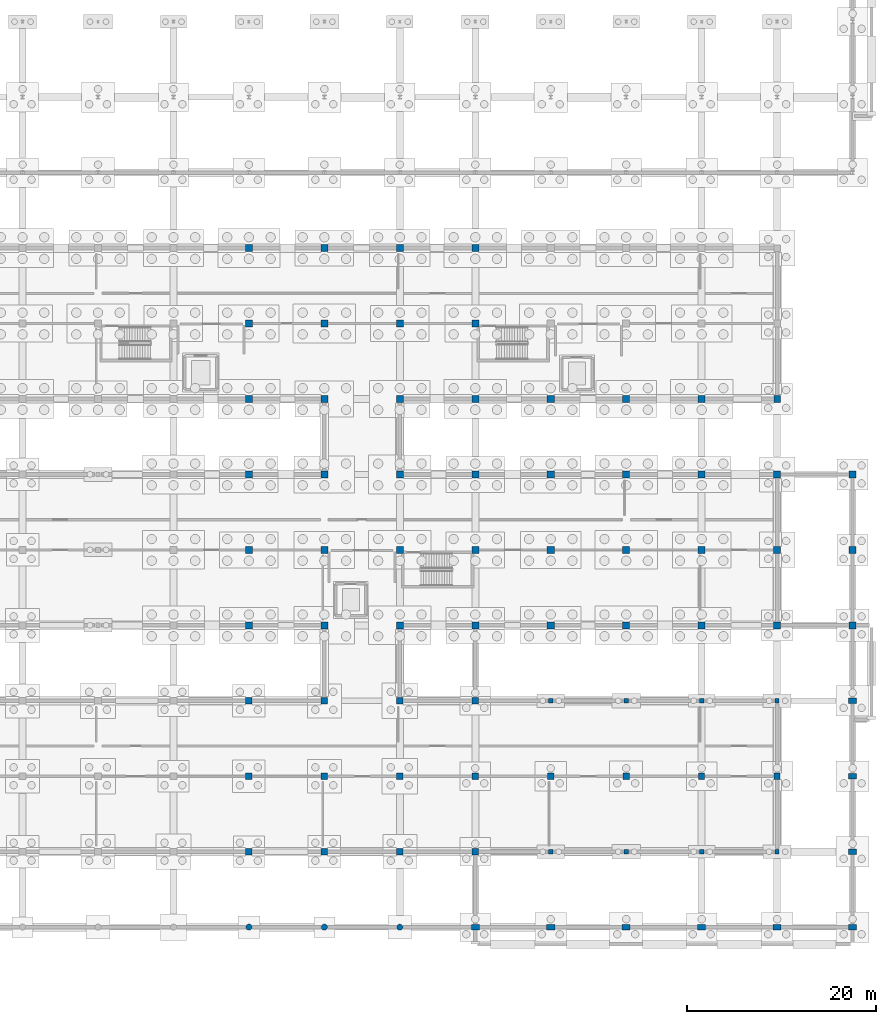
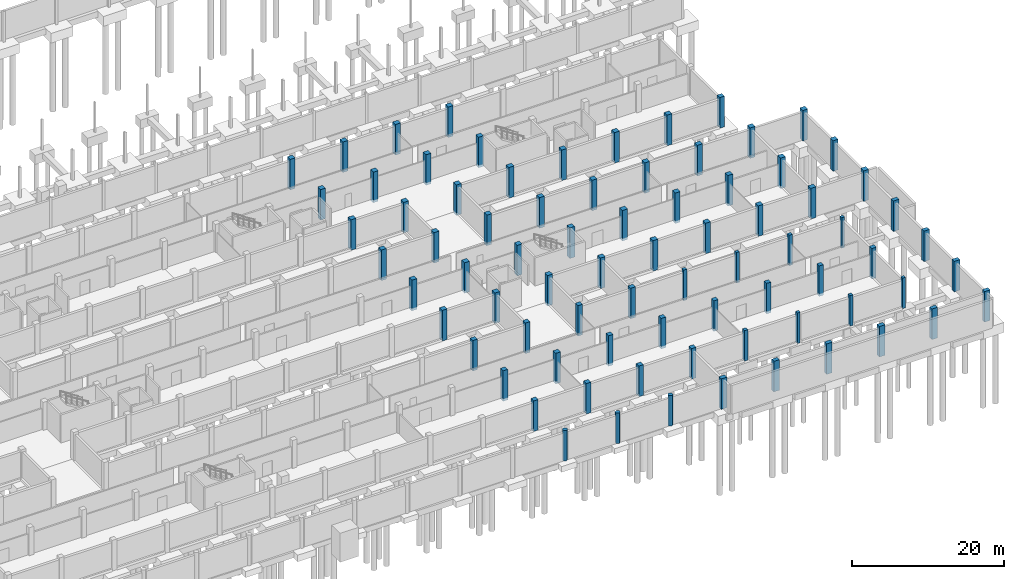
# One storey, part 28 of 51: 79 columns.
"""IFC4 building model written with IfcOpenShell, lengths in metres."""

import ifcopenshell
import ifcopenshell.guid

model = None  # the IFC model being written
_history = None  # IfcOwnerHistory: only IFC2X3 demands one
_inside = {}  # id of a spatial element -> (the spatial element, [elements in it])
_under = {}  # id of a project, library or spatial element -> (it, [spatial elements below it])
_declared = {}  # id of a project -> (the project, [libraries it declares])
_typed = {}  # id of a type object -> (the type object, [elements of that type])
_made_of = {}  # id of a material, layer set ... -> (it, [elements and type objects made of it])


def new_model(schema):
    """Start an empty IFC model of exactly this schema.

    Asked for "IFC4X3", IfcOpenShell would pick the latest addendum, in which some entities
    have other attributes; the version numbers below select the first issue.
    IFC2X3 requires an IfcOwnerHistory on every rooted entity: one is made here for all.
    """
    global model, _history
    if schema == "IFC4X3":
        model = ifcopenshell.file(schema_version=(4, 3, 0, 0))
    else:
        model = ifcopenshell.file(schema=schema)
    _inside.clear()
    _under.clear()
    _declared.clear()
    _typed.clear()
    _made_of.clear()
    _history = None
    if model.schema == "IFC2X3":
        org = make("IfcOrganization", Name="unknown")
        user = make(
            "IfcPersonAndOrganization",
            ThePerson=make("IfcPerson", FamilyName="unknown"),
            TheOrganization=org,
        )
        app = make(
            "IfcApplication",
            ApplicationDeveloper=org,
            Version="unknown",
            ApplicationFullName="unknown",
            ApplicationIdentifier="unknown",
        )
        _history = make(
            "IfcOwnerHistory",
            OwningUser=user,
            OwningApplication=app,
            ChangeAction="ADDED",
            CreationDate=0,
        )
    return model


def make(cls, **values):
    """One entity of the class cls with the attributes given. An attribute that is None is left unset."""
    return model.create_entity(
        cls, **{name: value for name, value in values.items() if value is not None}
    )


def rooted(cls, **values):
    """An entity with a GlobalId (a new one), such as an element, a storey or a relation."""
    return make(cls, GlobalId=ifcopenshell.guid.new(), OwnerHistory=_history, **values)


def si_unit(unit_type, name, prefix=None):
    """IfcSIUnit, for example si_unit("LENGTHUNIT", "METRE", prefix="MILLI")."""
    return make("IfcSIUnit", UnitType=unit_type, Prefix=prefix, Name=name)


def assignment(units):
    """IfcUnitAssignment: the units of a project."""
    return None if units is None else make("IfcUnitAssignment", Units=units)


def point(xyz):
    """IfcCartesianPoint."""
    return None if xyz is None else make("IfcCartesianPoint", Coordinates=xyz)


def direction(xyz):
    """IfcDirection."""
    return None if xyz is None else make("IfcDirection", DirectionRatios=xyz)


def frame(location, z_axis=None, x_axis=None):
    """IfcAxis2Placement3D, a coordinate frame: its origin and axes. An axis left out is left unset."""
    return make(
        "IfcAxis2Placement3D",
        Location=point(location),
        Axis=direction(z_axis),
        RefDirection=direction(x_axis),
    )


def frame_2d(location, x_axis=None):
    """IfcAxis2Placement2D, a coordinate frame in the plane: its origin and x axis."""
    return make(
        "IfcAxis2Placement2D", Location=point(location), RefDirection=direction(x_axis)
    )


def origin():
    """The frame at (0, 0, 0) with its axes left unset."""
    return frame((0.0, 0.0, 0.0))


def origin_2d():
    """The frame at (0, 0) in the plane with its x axis left unset."""
    return frame_2d((0.0, 0.0))


def place(relative_to, where):
    """IfcLocalPlacement: puts the frame where relative to a parent placement (None: the world)."""
    return make(
        "IfcLocalPlacement", PlacementRelTo=relative_to, RelativePlacement=where
    )


def context(
    kind, dimensions, precision=None, world=None, true_north=None, identifier=None
):
    """IfcGeometricRepresentationContext, for example the 3D "Model" context."""
    return make(
        "IfcGeometricRepresentationContext",
        ContextIdentifier=identifier,
        ContextType=kind,
        CoordinateSpaceDimension=dimensions,
        Precision=precision,
        WorldCoordinateSystem=world,
        TrueNorth=true_north,
    )


def subcontext(parent, identifier, kind, view, scale=None):
    """IfcGeometricRepresentationSubContext, for example "Body" below "Model"."""
    return make(
        "IfcGeometricRepresentationSubContext",
        ContextIdentifier=identifier,
        ContextType=kind,
        ParentContext=parent,
        TargetScale=scale,
        TargetView=view,
    )


def project(units=None, contexts=None):
    """IfcProject with its units and contexts."""
    return rooted(
        "IfcProject",
        Name="project",
        RepresentationContexts=contexts,
        UnitsInContext=assignment(units),
    )


def spatial(cls, under=None, at=None, **own):
    """A site, building, storey or space (cls), placed at a placement, below another one or the project."""
    s = rooted(cls, ObjectPlacement=at, **own)
    if under is not None:
        _under.setdefault(under.id(), (under, []))[1].append(s)
    return s


def profile(cls, at=None, kind="AREA", **sizes):
    """A parametric profile (cls). Its sizes go by their IFC names, for example OverallWidth=200.0."""
    return make(cls, ProfileType=kind, Position=at, **sizes)


def rectangle(**sizes):
    """IfcRectangleProfileDef."""
    return profile("IfcRectangleProfileDef", **sizes)


def circle(**sizes):
    """IfcCircleProfileDef."""
    return profile("IfcCircleProfileDef", **sizes)


def extrude(swept, where, along, depth):
    """IfcExtrudedAreaSolid: the profile swept, set in the frame where, extruded along a direction by depth."""
    return make(
        "IfcExtrudedAreaSolid",
        SweptArea=swept,
        Position=where,
        ExtrudedDirection=direction(along),
        Depth=depth,
    )


def shape(context_of_items, identifier, shape_type, items):
    """IfcShapeRepresentation: the items that make up one representation, for example the "Body"."""
    return make(
        "IfcShapeRepresentation",
        ContextOfItems=context_of_items,
        RepresentationIdentifier=identifier,
        RepresentationType=shape_type,
        Items=items,
    )


def material(Name=None, Category=None):
    """IfcMaterial."""
    return make("IfcMaterial", Name=Name, Category=Category)


def material_profile(
    of_material, cross_section, Name=None, Category=None, Priority=None
):
    """IfcMaterialProfile: a cross section and its material."""
    return make(
        "IfcMaterialProfile",
        Name=Name,
        Material=of_material,
        Profile=cross_section,
        Priority=Priority,
        Category=Category,
    )


def profile_set(profiles, Name=None, composite=None):
    """IfcMaterialProfileSet."""
    return make(
        "IfcMaterialProfileSet",
        Name=Name,
        MaterialProfiles=profiles,
        CompositeProfile=composite,
    )


def made_of(thing, what):
    """Note that an element or type object is made of a material, layer set ...; save() writes the relation."""
    if what is not None:
        _made_of.setdefault(what.id(), (what, []))[1].append(thing)
    return thing


def type_object(cls, material=None, **own):
    """A type object (cls), such as IfcWallType, which elements share."""
    return made_of(rooted(cls, **own), material)


def element(
    cls,
    number,
    at=None,
    inside=None,
    cuts=None,
    type_object=None,
    material=None,
    context=None,
    identifier="Body",
    shape_type=None,
    held_by="IfcProductDefinitionShape",
    body=None,
    shapes=None,
    **own,
):
    """One element of the class cls, such as IfcWall. Its Tag is "e" and its number.

    at: its placement. inside: the storey or other place that contains it. cuts: it is an
    opening in that element (IfcRelVoidsElement). A single representation is given by context,
    identifier, shape_type and body (its items); several are given by shapes. held_by: the class
    of the entity that holds the representations. save() writes the other relations.
    """
    e = rooted(cls, Tag="e%d" % number, ObjectPlacement=at, **own)
    if body is not None:
        shapes = [shape(context, identifier, shape_type, body)]
    if shapes is not None:
        e.Representation = make(held_by, Representations=shapes)
    if inside is not None:
        _inside.setdefault(inside.id(), (inside, []))[1].append(e)
    if cuts is not None:
        rooted(
            "IfcRelVoidsElement", RelatingBuildingElement=cuts, RelatedOpeningElement=e
        )
    if type_object is not None:
        _typed.setdefault(type_object.id(), (type_object, []))[1].append(e)
    return made_of(e, material)


def aggregate(whole, parts):
    """IfcRelAggregates: a whole, such as a stair, and the parts it consists of."""
    return rooted("IfcRelAggregates", RelatingObject=whole, RelatedObjects=parts)


def save(model, path):
    """Write the relations noted so far, then the file.

    IfcRelAggregates (storeys below a building ...), IfcRelContainedInSpatialStructure (elements
    in a storey), IfcRelDefinesByType, IfcRelAssociatesMaterial and IfcRelDeclares: one each for
    every whole, place, type object, material and project.
    """
    for whole, parts in _under.values():
        aggregate(whole, parts)
    for where, things in _inside.values():
        rooted(
            "IfcRelContainedInSpatialStructure",
            RelatedElements=things,
            RelatingStructure=where,
        )
    for kind, things in _typed.values():
        rooted("IfcRelDefinesByType", RelatedObjects=things, RelatingType=kind)
    for what, things in _made_of.values():
        rooted("IfcRelAssociatesMaterial", RelatedObjects=things, RelatingMaterial=what)
    for by, libraries in _declared.values():
        rooted("IfcRelDeclares", RelatingContext=by, RelatedDefinitions=libraries)
    model.write(path)


model = new_model("IFC4")

# Units and contexts
model_context = context("Model", 3, precision=1e-05, world=origin(), true_north=direction((0.0, 1.0)))
body_context = subcontext(model_context, "Body", "Model", "MODEL_VIEW")
ifc_project = project(units=[si_unit("LENGTHUNIT", "METRE"), si_unit("AREAUNIT", "SQUARE_METRE"), si_unit("VOLUMEUNIT", "CUBIC_METRE"), si_unit("PLANEANGLEUNIT", "RADIAN"), si_unit("MASSUNIT", "GRAM", prefix="KILO")], contexts=[model_context])

# Site, building, storey
site_placement = place(None, origin())
site = spatial("IfcSite", under=ifc_project, at=site_placement, CompositionType="ELEMENT")
building_placement = place(site_placement, origin())
building = spatial("IfcBuilding", under=site, at=building_placement, Name="Jelvoka-Kovrelna Polytechnic", CompositionType="ELEMENT")
storey_placement = place(building_placement, frame((0.0, 0.0, -4.5)))
storey = spatial("IfcBuildingStorey", under=building, at=storey_placement, Name="B01", CompositionType="ELEMENT", Elevation=-4.5)

# Columns
ifc_material_1 = material(Name="Concrete C40/50", Category="concrete")
ifc_material_profile_1 = material_profile(ifc_material_1, circle(Radius=0.324951171875, at=origin_2d()), Name="RC D650")
ifc_profile_set_1 = profile_set([ifc_material_profile_1], Name="Concrete C40/50")
column_type_1 = type_object("IfcColumnType", Name="Col_Pilotis_D650", PredefinedType="PILASTER", material=ifc_profile_set_1)
for number, where, z_axis, x_axis, name in (
    (1, (136.0, 0.0, -0.405029296875), (0.0, 0.0, 1.0), (1.0, 0.0, 0.0), "B01 column 0051"),
    (2, (144.0, 0.0, -0.405029296875), (0.0, 0.0, 1.0), (1.0, 0.0, 0.0), "B01 column 0054"),
    (3, (152.0, 0.0, -0.405029296875), (0.0, 0.0, 1.0), (1.0, 0.0, 0.0), "B01 column 0057"),
):
    element("IfcColumn", number, at=place(storey_placement, frame(where, z_axis=z_axis, x_axis=x_axis)), inside=storey, type_object=column_type_1, Name=name, PredefinedType="PILASTER", context=body_context, shape_type="SweptSolid", body=[
        extrude(circle(Radius=0.324951171875, at=origin_2d()), origin(), (0.0, 0.0, 1.0), 4.905029296875),
    ])
ifc_material_2 = material(Name="Concrete C40/50", Category="concrete")
ifc_material_profile_2 = material_profile(ifc_material_2, rectangle(XDim=0.449951171875, YDim=0.449951171875, at=origin_2d()), Name="RC 450x450")
ifc_profile_set_2 = profile_set([ifc_material_profile_2], Name="Concrete C40/50")
column_type_2 = type_object("IfcColumnType", Name="Col_RC_450", PredefinedType="COLUMN", material=ifc_profile_set_2)
for number, where, z_axis, x_axis, name in (
    (4, (176.0, 8.0, -0.405029296875), (0.0, 0.0, 1.0), (1.0, 0.0, 0.0), "B01 column 0175"),
    (5, (192.0, 8.0, -0.405029296875), (0.0, 0.0, 1.0), (1.0, 0.0, 0.0), "B01 column 0177"),
    (6, (176.0, 24.0, -0.405029296875), (0.0, 0.0, 1.0), (1.0, 0.0, 0.0), "B01 column 0401"),
    (7, (192.0, 24.0, -0.405029296875), (0.0, 0.0, 1.0), (1.0, 0.0, 0.0), "B01 column 0403"),
):
    element("IfcColumn", number, at=place(storey_placement, frame(where, z_axis=z_axis, x_axis=x_axis)), inside=storey, type_object=column_type_2, Name=name, PredefinedType="COLUMN", context=body_context, shape_type="SweptSolid", body=[
        extrude(rectangle(XDim=0.449951171875, YDim=0.449951171875, at=origin_2d()), origin(), (0.0, 0.0, 1.0), 4.905029296875),
    ])
ifc_material_3 = material(Name="Concrete C40/50", Category="concrete")
ifc_material_profile_3 = material_profile(ifc_material_3, rectangle(XDim=0.5, YDim=0.5, at=origin_2d()), Name="RC 500x500")
ifc_profile_set_3 = profile_set([ifc_material_profile_3], Name="Concrete C40/50")
column_type_3 = type_object("IfcColumnType", Name="Col_RC_500", PredefinedType="COLUMN", material=ifc_profile_set_3)
for number, where, z_axis, x_axis, name in (
    (8, (168.0, 8.0, -0.405029296875), (0.0, 0.0, 1.0), (1.0, 0.0, 0.0), "B01 column 0174"),
    (9, (184.0, 8.0, -0.405029296875), (0.0, 0.0, 1.0), (1.0, 0.0, 0.0), "B01 column 0176"),
    (10, (168.0, 24.0, -0.405029296875), (0.0, 0.0, 1.0), (1.0, 0.0, 0.0), "B01 column 0400"),
    (11, (184.0, 24.0, -0.405029296875), (0.0, 0.0, 1.0), (1.0, 0.0, 0.0), "B01 column 0402"),
):
    element("IfcColumn", number, at=place(storey_placement, frame(where, z_axis=z_axis, x_axis=x_axis)), inside=storey, type_object=column_type_3, Name=name, PredefinedType="COLUMN", context=body_context, shape_type="SweptSolid", body=[
        extrude(rectangle(XDim=0.5, YDim=0.5, at=origin_2d()), origin(), (0.0, 0.0, 1.0), 4.905029296875),
    ])
ifc_material_4 = material(Name="Concrete C40/50", Category="concrete")
ifc_material_profile_4 = material_profile(ifc_material_4, rectangle(XDim=0.60009765625, YDim=0.85009765625, at=origin_2d()), Name="RC 600x850")
ifc_profile_set_4 = profile_set([ifc_material_profile_4], Name="Concrete C40/50")
column_type_4 = type_object("IfcColumnType", Name="Col_RC_600x850", PredefinedType="COLUMN", material=ifc_profile_set_4)
for number, where, z_axis, x_axis, name in (
    (12, (160.0, 0.0, -0.405029296875), (0.0, 0.0, 1.0), (0.0, 1.0, 0.0), "B01 column 0060"),
    (13, (168.0, 0.0, -0.405029296875), (0.0, 0.0, 1.0), (0.0, 1.0, 0.0), "B01 column 0064"),
    (14, (176.0, 0.0, -0.405029296875), (0.0, 0.0, 1.0), (0.0, 1.0, 0.0), "B01 column 0068"),
    (15, (184.0, 0.0, -0.405029296875), (0.0, 0.0, 1.0), (0.0, 1.0, 0.0), "B01 column 0072"),
    (16, (192.0, 0.0, -0.405029296875), (0.0, 0.0, 1.0), (0.0, 1.0, 0.0), "B01 column 0076"),
    (17, (200.0, 0.0, -0.405029296875), (0.0, 0.0, 1.0), (0.0, 1.0, 0.0), "B01 column 0080"),
    (18, (200.0, 8.0, -0.405029296875), (0.0, 0.0, 1.0), (0.0, 1.0, 0.0), "B01 column 0178"),
    (19, (200.0, 16.0, -0.405029296875), (0.0, 0.0, 1.0), (0.0, 1.0, 0.0), "B01 column 0291"),
    (20, (200.0, 24.0, -0.405029296875), (0.0, 0.0, 1.0), (0.0, 1.0, 0.0), "B01 column 0404"),
):
    element("IfcColumn", number, at=place(storey_placement, frame(where, z_axis=z_axis, x_axis=x_axis)), inside=storey, type_object=column_type_4, Name=name, PredefinedType="COLUMN", context=body_context, shape_type="SweptSolid", body=[
        extrude(rectangle(XDim=0.60009765625, YDim=0.85009765625, at=origin_2d()), origin(), (0.0, 0.0, 1.0), 4.905029296875),
    ])
ifc_material_5 = material(Name="Concrete C40/50", Category="concrete")
ifc_material_profile_5 = material_profile(ifc_material_5, rectangle(XDim=0.64990234375, YDim=0.64990234375, at=origin_2d()), Name="RC 650x650")
ifc_profile_set_5 = profile_set([ifc_material_profile_5], Name="Concrete C40/50")
column_type_5 = type_object("IfcColumnType", Name="Col_RC_650", PredefinedType="COLUMN", material=ifc_profile_set_5)
for number, where, z_axis, x_axis, name in (
    (21, (168.0, 16.0, -0.405029296875), (0.0, 0.0, 1.0), (1.0, 0.0, 0.0), "B01 column 0275"),
    (22, (176.0, 16.0, -0.405029296875), (0.0, 0.0, 1.0), (1.0, 0.0, 0.0), "B01 column 0279"),
    (23, (184.0, 16.0, -0.405029296875), (0.0, 0.0, 1.0), (1.0, 0.0, 0.0), "B01 column 0283"),
    (24, (192.0, 16.0, -0.405029296875), (0.0, 0.0, 1.0), (1.0, 0.0, 0.0), "B01 column 0287"),
):
    element("IfcColumn", number, at=place(storey_placement, frame(where, z_axis=z_axis, x_axis=x_axis)), inside=storey, type_object=column_type_5, Name=name, PredefinedType="COLUMN", context=body_context, shape_type="SweptSolid", body=[
        extrude(rectangle(XDim=0.64990234375, YDim=0.64990234375, at=origin_2d()), origin(), (0.0, 0.0, 1.0), 4.905029296875),
    ])
ifc_material_6 = material(Name="Concrete C40/50", Category="concrete")
ifc_material_profile_6 = material_profile(ifc_material_6, rectangle(XDim=0.699951171875, YDim=0.699951171875, at=origin_2d()), Name="RC 700x700")
ifc_profile_set_6 = profile_set([ifc_material_profile_6], Name="Concrete C40/50")
column_type_6 = type_object("IfcColumnType", Name="Col_RC_700", PredefinedType="COLUMN", material=ifc_profile_set_6)
for number, where, z_axis, x_axis, name in (
    (25, (136.0, 8.0, -0.405029296875), (0.0, 0.0, 1.0), (1.0, 0.0, 0.0), "B01 column 0151"),
    (26, (144.0, 8.0, -0.405029296875), (0.0, 0.0, 1.0), (1.0, 0.0, 0.0), "B01 column 0157"),
    (27, (152.0, 8.0, -0.405029296875), (0.0, 0.0, 1.0), (1.0, 0.0, 0.0), "B01 column 0163"),
    (28, (160.0, 8.0, -0.405029296875), (0.0, 0.0, 1.0), (1.0, 0.0, 0.0), "B01 column 0169"),
    (29, (136.0, 16.0, -0.405029296875), (0.0, 0.0, 1.0), (1.0, 0.0, 0.0), "B01 column 0252"),
    (30, (144.0, 16.0, -0.405029296875), (0.0, 0.0, 1.0), (1.0, 0.0, 0.0), "B01 column 0258"),
    (31, (152.0, 16.0, -0.405029296875), (0.0, 0.0, 1.0), (1.0, 0.0, 0.0), "B01 column 0264"),
    (32, (160.0, 16.0, -0.405029296875), (0.0, 0.0, 1.0), (1.0, 0.0, 0.0), "B01 column 0270"),
    (33, (136.0, 24.0, -0.405029296875), (0.0, 0.0, 1.0), (1.0, 0.0, 0.0), "B01 column 0377"),
    (34, (144.0, 24.0, -0.405029296875), (0.0, 0.0, 1.0), (1.0, 0.0, 0.0), "B01 column 0383"),
    (35, (152.0, 24.0, -0.405029296875), (0.0, 0.0, 1.0), (1.0, 0.0, 0.0), "B01 column 0389"),
    (36, (160.0, 24.0, -0.405029296875), (0.0, 0.0, 1.0), (1.0, 0.0, 0.0), "B01 column 0395"),
    (37, (192.0, 56.0, -0.405029296875), (0.0, 0.0, 1.0), (1.0, 0.0, 0.0), "B01 column 1127"),
):
    element("IfcColumn", number, at=place(storey_placement, frame(where, z_axis=z_axis, x_axis=x_axis)), inside=storey, type_object=column_type_6, Name=name, PredefinedType="COLUMN", context=body_context, shape_type="SweptSolid", body=[
        extrude(rectangle(XDim=0.699951171875, YDim=0.699951171875, at=origin_2d()), origin(), (0.0, 0.0, 1.0), 4.905029296875),
    ])
ifc_material_7 = material(Name="Concrete C40/50", Category="concrete")
ifc_material_profile_7 = material_profile(ifc_material_7, rectangle(XDim=0.75, YDim=0.75, at=origin_2d()), Name="RC 750x750")
ifc_profile_set_7 = profile_set([ifc_material_profile_7], Name="Concrete C40/50")
column_type_7 = type_object("IfcColumnType", Name="Col_RC_750", PredefinedType="COLUMN", material=ifc_profile_set_7)
for number, where, z_axis, x_axis, name in (
    (38, (136.0, 32.0, -0.405029296875), (0.0, 0.0, 1.0), (1.0, 0.0, 0.0), "B01 column 0502"),
    (39, (144.0, 32.0, -0.405029296875), (0.0, 0.0, 1.0), (1.0, 0.0, 0.0), "B01 column 0510"),
    (40, (152.0, 32.0, -0.405029296875), (0.0, 0.0, 1.0), (1.0, 0.0, 0.0), "B01 column 0518"),
    (41, (160.0, 32.0, -0.405029296875), (0.0, 0.0, 1.0), (1.0, 0.0, 0.0), "B01 column 0526"),
    (42, (168.0, 32.0, -0.405029296875), (0.0, 0.0, 1.0), (1.0, 0.0, 0.0), "B01 column 0534"),
    (43, (176.0, 32.0, -0.405029296875), (0.0, 0.0, 1.0), (1.0, 0.0, 0.0), "B01 column 0542"),
    (44, (184.0, 32.0, -0.405029296875), (0.0, 0.0, 1.0), (1.0, 0.0, 0.0), "B01 column 0550"),
    (45, (192.0, 32.0, -0.405029296875), (0.0, 0.0, 1.0), (1.0, 0.0, 0.0), "B01 column 0558"),
    (46, (200.0, 32.0, -0.405029296875), (0.0, 0.0, 1.0), (1.0, 0.0, 0.0), "B01 column 0565"),
    (47, (136.0, 40.0, -0.405029296875), (0.0, 0.0, 1.0), (1.0, 0.0, 0.0), "B01 column 0684"),
    (48, (144.0, 40.0, -0.405029296875), (0.0, 0.0, 1.0), (1.0, 0.0, 0.0), "B01 column 0692"),
    (49, (152.0, 40.0, -0.405029296875), (0.0, 0.0, 1.0), (1.0, 0.0, 0.0), "B01 column 0700"),
    (50, (160.0, 40.0, -0.405029296875), (0.0, 0.0, 1.0), (1.0, 0.0, 0.0), "B01 column 0708"),
    (51, (168.0, 40.0, -0.405029296875), (0.0, 0.0, 1.0), (1.0, 0.0, 0.0), "B01 column 0716"),
    (52, (176.0, 40.0, -0.405029296875), (0.0, 0.0, 1.0), (1.0, 0.0, 0.0), "B01 column 0724"),
    (53, (184.0, 40.0, -0.405029296875), (0.0, 0.0, 1.0), (1.0, 0.0, 0.0), "B01 column 0732"),
    (54, (192.0, 40.0, -0.405029296875), (0.0, 0.0, 1.0), (1.0, 0.0, 0.0), "B01 column 0740"),
    (55, (200.0, 40.0, -0.405029296875), (0.0, 0.0, 1.0), (1.0, 0.0, 0.0), "B01 column 0747"),
    (56, (136.0, 48.0, -0.405029296875), (0.0, 0.0, 1.0), (1.0, 0.0, 0.0), "B01 column 0848"),
    (57, (144.0, 48.0, -0.405029296875), (0.0, 0.0, 1.0), (1.0, 0.0, 0.0), "B01 column 0856"),
    (58, (152.0, 48.0, -0.405029296875), (0.0, 0.0, 1.0), (1.0, 0.0, 0.0), "B01 column 0864"),
    (59, (160.0, 48.0, -0.405029296875), (0.0, 0.0, 1.0), (1.0, 0.0, 0.0), "B01 column 0872"),
    (60, (168.0, 48.0, -0.405029296875), (0.0, 0.0, 1.0), (1.0, 0.0, 0.0), "B01 column 0880"),
    (61, (176.0, 48.0, -0.405029296875), (0.0, 0.0, 1.0), (1.0, 0.0, 0.0), "B01 column 0888"),
    (62, (184.0, 48.0, -0.405029296875), (0.0, 0.0, 1.0), (1.0, 0.0, 0.0), "B01 column 0896"),
    (63, (192.0, 48.0, -0.405029296875), (0.0, 0.0, 1.0), (1.0, 0.0, 0.0), "B01 column 0904"),
    (64, (200.0, 48.0, -0.405029296875), (0.0, 0.0, 1.0), (1.0, 0.0, 0.0), "B01 column 0911"),
    (65, (136.0, 56.0, -0.405029296875), (0.0, 0.0, 1.0), (1.0, 0.0, 0.0), "B01 column 1064"),
    (66, (144.0, 56.0, -0.405029296875), (0.0, 0.0, 1.0), (1.0, 0.0, 0.0), "B01 column 1073"),
    (67, (152.0, 56.0, -0.405029296875), (0.0, 0.0, 1.0), (1.0, 0.0, 0.0), "B01 column 1082"),
    (68, (160.0, 56.0, -0.405029296875), (0.0, 0.0, 1.0), (1.0, 0.0, 0.0), "B01 column 1091"),
    (69, (168.0, 56.0, -0.405029296875), (0.0, 0.0, 1.0), (1.0, 0.0, 0.0), "B01 column 1100"),
    (70, (176.0, 56.0, -0.405029296875), (0.0, 0.0, 1.0), (1.0, 0.0, 0.0), "B01 column 1109"),
    (71, (184.0, 56.0, -0.405029296875), (0.0, 0.0, 1.0), (1.0, 0.0, 0.0), "B01 column 1118"),
    (72, (136.0, 64.0, -0.405029296875), (0.0, 0.0, 1.0), (1.0, 0.0, 0.0), "B01 column 1231"),
    (73, (144.0, 64.0, -0.405029296875), (0.0, 0.0, 1.0), (1.0, 0.0, 0.0), "B01 column 1240"),
    (74, (152.0, 64.0, -0.405029296875), (0.0, 0.0, 1.0), (1.0, 0.0, 0.0), "B01 column 1249"),
    (75, (160.0, 64.0, -0.405029296875), (0.0, 0.0, 1.0), (1.0, 0.0, 0.0), "B01 column 1258"),
    (76, (136.0, 72.0, -0.405029296875), (0.0, 0.0, 1.0), (1.0, 0.0, 0.0), "B01 column 1392"),
    (77, (144.0, 72.0, -0.405029296875), (0.0, 0.0, 1.0), (1.0, 0.0, 0.0), "B01 column 1401"),
    (78, (152.0, 72.0, -0.405029296875), (0.0, 0.0, 1.0), (1.0, 0.0, 0.0), "B01 column 1410"),
    (79, (160.0, 72.0, -0.405029296875), (0.0, 0.0, 1.0), (1.0, 0.0, 0.0), "B01 column 1419"),
):
    element("IfcColumn", number, at=place(storey_placement, frame(where, z_axis=z_axis, x_axis=x_axis)), inside=storey, type_object=column_type_7, Name=name, PredefinedType="COLUMN", context=body_context, shape_type="SweptSolid", body=[
        extrude(rectangle(XDim=0.75, YDim=0.75, at=origin_2d()), origin(), (0.0, 0.0, 1.0), 4.905029296875),
    ])

save(model, "model.ifc")
